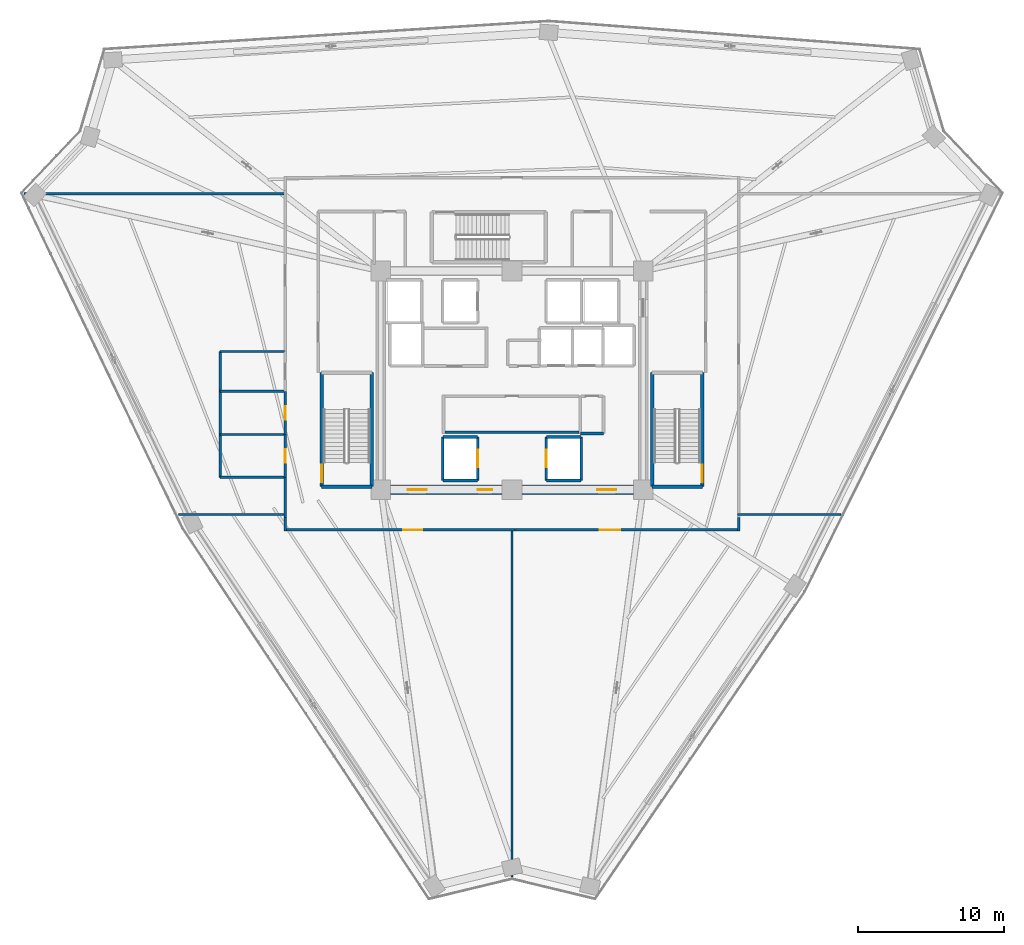
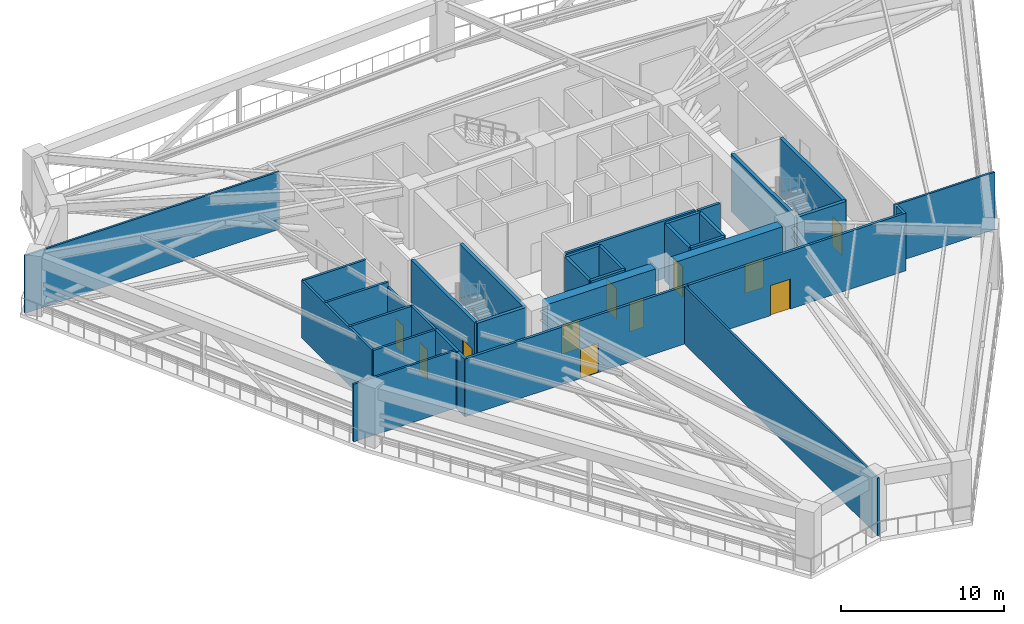
# One storey, part 14 of 25: 34 walls, 11 doors, 11 openings.
"""IFC4 building model written with IfcOpenShell, lengths in metres."""

from ifc_helpers import new_model, si_unit, direction, frame, frame_2d, origin, place, context, subcontext, project, spatial, rectangle, extrude, source, transform, mapped, material, layer, layer_set, type_object, element, fill, save


model = new_model("IFC4")

# Units and contexts
model_context = context("Model", 3, precision=1e-05, world=origin(), true_north=direction((0.0, 1.0)))
body_context = subcontext(model_context, "Body", "Model", "MODEL_VIEW")
ifc_project = project(units=[si_unit("LENGTHUNIT", "METRE"), si_unit("AREAUNIT", "SQUARE_METRE"), si_unit("VOLUMEUNIT", "CUBIC_METRE"), si_unit("PLANEANGLEUNIT", "RADIAN"), si_unit("MASSUNIT", "GRAM", prefix="KILO")], contexts=[model_context])

# Site, building, storey
site_placement = place(None, origin())
site = spatial("IfcSite", under=ifc_project, at=site_placement, CompositionType="ELEMENT")
building_placement = place(site_placement, origin())
building = spatial("IfcBuilding", under=site, at=building_placement, Name="Liaohun Quay Tower", CompositionType="ELEMENT")
storey_placement = place(building_placement, frame((0.0, 0.0, 231.75)))
storey = spatial("IfcBuildingStorey", under=building, at=storey_placement, Name="L60", CompositionType="ELEMENT", Elevation=231.75)

# Wall, opening, door
ifc_material_1 = material(Name="Concrete C55", Category="concrete")
ifc_layer_1 = layer(ifc_material_1, 0.64990234375, Name="Concrete C55", Category="concrete")
ifc_layer_set_1 = layer_set([ifc_layer_1], Name="Concrete C55")
wall_type_1 = type_object("IfcWallType", Name="WAL-COR-Z3", PredefinedType="SHEAR", material=ifc_layer_set_1)
wall_1_placement = place(storey_placement, frame((68.324951171875, 46.5, 0.0), z_axis=(0.0, 0.0, 1.0), x_axis=(-1.0, 0.0, 0.0)))
wall_1 = element("IfcWall", 1, at=wall_1_placement, inside=storey, type_object=wall_type_1, Name="L60 Central Core Shear Wall S-E", PredefinedType="SHEAR", context=body_context, shape_type="SweptSolid", body=[
    extrude(rectangle(XDim=7.64990234375, YDim=0.64990234375, at=frame_2d((3.824951171875, 0.0))), origin(), (0.0, 0.0, 1.0), 4.320068359375),
])
shared_shape_1 = source(origin(), body_context, "Body", "SweptSolid", [
    extrude(rectangle(XDim=1.300048828125, YDim=2.199951171875, at=frame_2d((0.64990234375, 1.10009765625))), frame((0.0, 0.3349609375, 0.0), z_axis=(0.0, -1.0, 0.0), x_axis=(1.0, 0.0, 0.0)), (0.0, 0.0, 1.0), 0.669921875),
])
opening_1_placement = place(wall_1_placement, frame((1.175048828125, 0.0, 0.0)))
opening_1 = element("IfcOpeningElement", 2, at=opening_1_placement, cuts=wall_1, Name="Opening FD1", PredefinedType="OPENING", context=body_context, shape_type="MappedRepresentation", body=[
    mapped(shared_shape_1, transform((0.0, 0.0, 0.0), x_axis=(1.0, 0.0, 0.0), y_axis=(0.0, 1.0, 0.0), z_axis=(0.0, 0.0, 1.0), scale=1.0)),
])
ifc_material_2 = material(Name="Galvanised steel smokeproof fire door", Category="steel")
door_type_1 = type_object("IfcDoorType", Name="DOR-FFL-1300", OperationType="NOTDEFINED", PredefinedType="DOOR", material=ifc_material_2)
shared_shape_2 = source(origin(), body_context, "Body", "SweptSolid", [
    extrude(rectangle(XDim=1.300048828125, YDim=2.199951171875, at=frame_2d((0.64990234375, 1.10009765625))), frame((0.0, 0.02490234375, 0.0), z_axis=(0.0, -1.0, 0.0), x_axis=(1.0, 0.0, 0.0)), (0.0, 0.0, 1.0), 0.050048828125),
])
door_1_placement = place(opening_1_placement, origin())
door_1 = element("IfcDoor", 3, at=door_1_placement, inside=storey, type_object=door_type_1, Name="L60 East Core Lift Lobby Smokeproof Door", OperationType="SINGLE_SWING_LEFT", OverallHeight=2.199951171875, OverallWidth=1.300048828125, PredefinedType="DOOR", context=body_context, shape_type="MappedRepresentation", body=[
    mapped(shared_shape_2, transform((0.0, 0.0, 0.0), x_axis=(1.0, 0.0, 0.0), y_axis=(0.0, 1.0, 0.0), z_axis=(0.0, 0.0, 1.0), scale=1.0)),
])
fill(opening_1, door_1)

# Wall, openings, doors
wall_2_placement = place(storey_placement, frame((59.324951171875, 46.5, 0.0), z_axis=(0.0, 0.0, 1.0), x_axis=(-1.0, 0.0, 0.0)))
wall_2 = element("IfcWall", 4, at=wall_2_placement, inside=storey, type_object=wall_type_1, Name="L60 Central Core Shear Wall S-W", PredefinedType="SHEAR", context=body_context, shape_type="SweptSolid", body=[
    extrude(rectangle(XDim=7.64990234375, YDim=0.64990234375, at=frame_2d((3.824951171875, 0.0))), origin(), (0.0, 0.0, 1.0), 4.320068359375),
])
opening_2_placement = place(wall_2_placement, frame((5.175048828125, 0.0, 0.0)))
opening_2 = element("IfcOpeningElement", 5, at=opening_2_placement, cuts=wall_2, Name="Opening FD1", PredefinedType="OPENING", context=body_context, shape_type="MappedRepresentation", body=[
    mapped(shared_shape_1, transform((0.0, 0.0, 0.0), x_axis=(1.0, 0.0, 0.0), y_axis=(0.0, 1.0, 0.0), z_axis=(0.0, 0.0, 1.0), scale=1.0)),
])
shared_shape_3 = source(origin(), body_context, "Body", "SweptSolid", [
    extrude(rectangle(XDim=1.0, YDim=2.199951171875, at=frame_2d((0.5, 1.10009765625))), frame((0.0, 0.3349609375, 0.0), z_axis=(0.0, -1.0, 0.0), x_axis=(1.0, 0.0, 0.0)), (0.0, 0.0, 1.0), 0.669921875),
])
opening_3_placement = place(wall_2_placement, frame((0.675048828125, 0.0, 0.0)))
opening_3 = element("IfcOpeningElement", 6, at=opening_3_placement, cuts=wall_2, Name="Opening FD2", PredefinedType="OPENING", context=body_context, shape_type="MappedRepresentation", body=[
    mapped(shared_shape_3, transform((0.0, 0.0, 0.0), x_axis=(1.0, 0.0, 0.0), y_axis=(0.0, 1.0, 0.0), z_axis=(0.0, 0.0, 1.0), scale=1.0)),
])
door_2_placement = place(opening_2_placement, origin())
door_2 = element("IfcDoor", 7, at=door_2_placement, inside=storey, type_object=door_type_1, Name="L60 West Core Lift Lobby Smokeproof Door", OperationType="SINGLE_SWING_RIGHT", OverallHeight=2.199951171875, OverallWidth=1.300048828125, PredefinedType="DOOR", context=body_context, shape_type="MappedRepresentation", body=[
    mapped(shared_shape_2, transform((0.0, 0.0, 0.0), x_axis=(1.0, 0.0, 0.0), y_axis=(0.0, 1.0, 0.0), z_axis=(0.0, 0.0, 1.0), scale=1.0)),
])
fill(opening_2, door_2)
ifc_material_3 = material(Name="Galvanised steel smokeproof lobby fire door", Category="steel")
door_type_2 = type_object("IfcDoorType", Name="DOR-FFL-1000", OperationType="NOTDEFINED", PredefinedType="DOOR", material=ifc_material_3)
shared_shape_4 = source(origin(), body_context, "Body", "SweptSolid", [
    extrude(rectangle(XDim=1.0, YDim=2.199951171875, at=frame_2d((0.5, 1.10009765625))), frame((0.0, 0.02490234375, 0.0), z_axis=(0.0, -1.0, 0.0), x_axis=(1.0, 0.0, 0.0)), (0.0, 0.0, 1.0), 0.050048828125),
])
door_3_placement = place(opening_3_placement, origin())
door_3 = element("IfcDoor", 8, at=door_3_placement, inside=storey, type_object=door_type_2, Name="L60 South Firefighting Lobby Smokeproof Door", OperationType="SINGLE_SWING_LEFT", OverallHeight=2.199951171875, OverallWidth=1.0, PredefinedType="DOOR", context=body_context, shape_type="MappedRepresentation", body=[
    mapped(shared_shape_4, transform((0.0, 0.0, 0.0), x_axis=(1.0, 0.0, 0.0), y_axis=(0.0, 1.0, 0.0), z_axis=(0.0, 0.0, 1.0), scale=1.0)),
])
fill(opening_3, door_3)

# Wall, opening, door
ifc_material_4 = material(Name="Autoclaved aerated concrete blockwork", Category="masonry")
ifc_layer_2 = layer(ifc_material_4, 0.179931640625, Name="Autoclaved aerated concrete blockwork", Category="masonry")
ifc_layer_set_2 = layer_set([ifc_layer_2], Name="Autoclaved aerated concrete blockwork")
wall_type_2 = type_object("IfcWallType", Name="WAL-PRT-COR", PredefinedType="PARTITIONING", material=ifc_layer_set_2)
wall_3_placement = place(storey_placement, frame((60.215087890625, 43.739990234375, 0.0), z_axis=(0.0, 0.0, 1.0), x_axis=(-1.0, 0.0, 0.0)))
wall_3 = element("IfcWall", 9, at=wall_3_placement, inside=storey, type_object=wall_type_2, Name="L60 Interior Partition Wall 015", PredefinedType="PARTITIONING", context=body_context, shape_type="SweptSolid", body=[
    extrude(rectangle(XDim=15.844970703125, YDim=0.179931640625, at=frame_2d((7.92236328125, 0.0))), origin(), (0.0, 0.0, 1.0), 4.320068359375),
])
shared_shape_5 = source(origin(), body_context, "Body", "SweptSolid", [
    extrude(rectangle(XDim=1.300048828125, YDim=2.199951171875, at=frame_2d((0.64990234375, 1.10009765625))), frame((0.0, 0.099853515625, 0.0), z_axis=(0.0, -1.0, 0.0), x_axis=(1.0, 0.0, 0.0)), (0.0, 0.0, 1.0), 0.199951171875),
])
opening_4_placement = place(wall_3_placement, frame((6.373046875, 0.0, 0.0)))
opening_4 = element("IfcOpeningElement", 10, at=opening_4_placement, cuts=wall_3, Name="Opening FD1", PredefinedType="OPENING", context=body_context, shape_type="MappedRepresentation", body=[
    mapped(shared_shape_5, transform((0.0, 0.0, 0.0), x_axis=(1.0, 0.0, 0.0), y_axis=(0.0, 1.0, 0.0), z_axis=(0.0, 0.0, 1.0), scale=1.0)),
])
door_4_placement = place(opening_4_placement, origin())
door_4 = element("IfcDoor", 11, at=door_4_placement, inside=storey, type_object=door_type_1, Name="L60 North Open-Air Refuge Staging Area Door", OperationType="SINGLE_SWING_LEFT", OverallHeight=2.199951171875, OverallWidth=1.300048828125, PredefinedType="DOOR", context=body_context, shape_type="MappedRepresentation", body=[
    mapped(shared_shape_2, transform((0.0, 0.0, 0.0), x_axis=(1.0, 0.0, 0.0), y_axis=(0.0, 1.0, 0.0), z_axis=(0.0, 0.0, 1.0), scale=1.0)),
])
fill(opening_4, door_4)

wall_4_placement = place(storey_placement, frame((75.6298828125, 43.739990234375, 0.0), z_axis=(0.0, 0.0, 1.0), x_axis=(-1.0, 0.0, 0.0)))
wall_4 = element("IfcWall", 12, at=wall_4_placement, inside=storey, type_object=wall_type_2, Name="L60 Interior Partition Wall 016", PredefinedType="PARTITIONING", context=body_context, shape_type="SweptSolid", body=[
    extrude(rectangle(XDim=15.414794921875, YDim=0.179931640625, at=frame_2d((7.70751953125, 0.0))), origin(), (0.0, 0.0, 1.0), 4.320068359375),
])
shared_shape_6 = source(origin(), body_context, "Body", "SweptSolid", [
    extrude(rectangle(XDim=1.39990234375, YDim=2.25, at=frame_2d((0.699951171875, 1.125))), frame((0.0, 0.099853515625, 0.0), z_axis=(0.0, -1.0, 0.0), x_axis=(1.0, 0.0, 0.0)), (0.0, 0.0, 1.0), 0.199951171875),
])
opening_5_placement = place(wall_4_placement, frame((8.20703125, 0.0, 0.0)))
opening_5 = element("IfcOpeningElement", 13, at=opening_5_placement, cuts=wall_4, Name="Opening MD1", PredefinedType="OPENING", context=body_context, shape_type="MappedRepresentation", body=[
    mapped(shared_shape_6, transform((0.0, 0.0, 0.0), x_axis=(1.0, 0.0, 0.0), y_axis=(0.0, 1.0, 0.0), z_axis=(0.0, 0.0, 1.0), scale=1.0)),
])
ifc_material_5 = material(Name="Insulated steel plant room door", Category="steel")
door_type_3 = type_object("IfcDoorType", Name="DOR-MEP-1400", OperationType="DOUBLE_DOOR_SINGLE_SWING", PredefinedType="DOOR", material=ifc_material_5)
shared_shape_7 = source(origin(), body_context, "Body", "SweptSolid", [
    extrude(rectangle(XDim=1.39990234375, YDim=2.25, at=frame_2d((0.699951171875, 1.125))), frame((0.0, 0.02490234375, 0.0), z_axis=(0.0, -1.0, 0.0), x_axis=(1.0, 0.0, 0.0)), (0.0, 0.0, 1.0), 0.050048828125),
])
door_5_placement = place(opening_5_placement, origin())
door_5 = element("IfcDoor", 14, at=door_5_placement, inside=storey, type_object=door_type_3, Name="L60 East Booster Water Pump and Tank Plant Room Door", OperationType="DOUBLE_DOOR_SINGLE_SWING", OverallHeight=2.25, OverallWidth=1.39990234375, PredefinedType="DOOR", context=body_context, shape_type="MappedRepresentation", body=[
    mapped(shared_shape_7, transform((0.0, 0.0, 0.0), x_axis=(1.0, 0.0, 0.0), y_axis=(0.0, 1.0, 0.0), z_axis=(0.0, 0.0, 1.0), scale=1.0)),
])
fill(opening_5, door_5)

# Walls
wall_5_placement = place(storey_placement, frame((64.68994140625, 50.35009765625, 0.0), z_axis=(0.0, 0.0, 1.0), x_axis=(1.0, 0.0, 0.0)))
element("IfcWall", 15, at=wall_5_placement, inside=storey, type_object=wall_type_2, Name="L60 Interior Partition Wall 020", PredefinedType="PARTITIONING", context=body_context, shape_type="SweptSolid", body=[
    extrude(rectangle(XDim=1.590087890625, YDim=0.179931640625, at=frame_2d((0.794921875, 0.0))), origin(), (0.0, 0.0, 1.0), 4.320068359375),
])
wall_6_placement = place(storey_placement, frame((44.43994140625, 44.5849609375, 0.0), z_axis=(0.0, 0.0, 1.0), x_axis=(0.0, 1.0, 0.0)))
element("IfcWall", 16, at=wall_6_placement, inside=storey, type_object=wall_type_2, Name="L60 Interior Partition Wall 037", PredefinedType="PARTITIONING", context=body_context, shape_type="SweptSolid", body=[
    extrude(rectangle(XDim=2.755126953125, YDim=0.179931640625, at=frame_2d((1.37744140625, 0.0))), origin(), (0.0, 0.0, 1.0), 4.320068359375),
])
for number, where, z_axis, x_axis, name in (
    (17, (44.43994140625, 43.669921875, 0.0), (0.0, 0.0, 1.0), (0.0, 1.0, 0.0), "L60 Interior Partition Wall 038"),
    (18, (75.56005859375, 44.5849609375, 0.0), (0.0, 0.0, 1.0), (0.0, -1.0, 0.0), "L60 Interior Partition Wall 039"),
):
    element("IfcWall", number, at=place(storey_placement, frame(where, z_axis=z_axis, x_axis=x_axis)), inside=storey, type_object=wall_type_2, Name=name, PredefinedType="PARTITIONING", context=body_context, shape_type="SweptSolid", body=[
        extrude(rectangle(XDim=0.9150390625, YDim=0.179931640625, at=frame_2d((0.45751953125, 0.0))), origin(), (0.0, 0.0, 1.0), 4.320068359375),
    ])
wall_7_placement = place(storey_placement, frame((55.389892578125, 50.449951171875, 0.0), z_axis=(0.0, 0.0, 1.0), x_axis=(1.0, 0.0, 0.0)))
element("IfcWall", 19, at=wall_7_placement, inside=storey, type_object=wall_type_2, Name="L60 Interior Partition Wall 046", PredefinedType="PARTITIONING", context=body_context, shape_type="SweptSolid", body=[
    extrude(rectangle(XDim=9.210205078125, YDim=0.179931640625, at=frame_2d((4.60498046875, 0.0))), origin(), (0.0, 0.0, 1.0), 4.320068359375),
])
ifc_material_6 = material(Name="Gypsum board on twin steel studs", Category="steel")
ifc_layer_3 = layer(ifc_material_6, 0.139892578125, Name="Gypsum board on twin steel studs", Category="steel")
ifc_layer_set_3 = layer_set([ifc_layer_3], Name="Gypsum board on twin steel studs")
wall_type_3 = type_object("IfcWallType", Name="WAL-PRT-OFF", PredefinedType="PARTITIONING", material=ifc_layer_set_3)
wall_8_placement = place(storey_placement, frame((44.5400390625, 44.800048828125, 0.0), z_axis=(0.0, 0.0, 1.0), x_axis=(-1.0, 0.0, 0.0)))
element("IfcWall", 20, at=wall_8_placement, inside=storey, type_object=wall_type_3, Name="L60 Interior Partition Wall 040", PredefinedType="PARTITIONING", context=body_context, shape_type="SweptSolid", body=[
    extrude(rectangle(XDim=7.43505859375, YDim=0.139892578125, at=frame_2d((3.717529296875, 0.0))), origin(), (0.0, 0.0, 1.0), 4.320068359375),
])
wall_9_placement = place(storey_placement, frame((75.4599609375, 44.800048828125, 0.0), z_axis=(0.0, 0.0, 1.0), x_axis=(1.0, 0.0, 0.0)))
element("IfcWall", 21, at=wall_9_placement, inside=storey, type_object=wall_type_3, Name="L60 Interior Partition Wall 041", PredefinedType="PARTITIONING", context=body_context, shape_type="SweptSolid", body=[
    extrude(rectangle(XDim=7.094970703125, YDim=0.139892578125, at=frame_2d((3.54736328125, 0.0))), origin(), (0.0, 0.0, 1.0), 4.320068359375),
])
wall_10_placement = place(storey_placement, frame((44.5400390625, 66.800048828125, 0.0), z_axis=(0.0, 0.0, 1.0), x_axis=(-1.0, 0.0, 0.0)))
element("IfcWall", 22, at=wall_10_placement, inside=storey, type_object=wall_type_3, Name="L60 Interior Partition Wall 042", PredefinedType="PARTITIONING", context=body_context, shape_type="SweptSolid", body=[
    extrude(rectangle(XDim=18.012939453125, YDim=0.139892578125, at=frame_2d((9.00634765625, 0.0))), origin(), (0.0, 0.0, 1.0), 4.320068359375),
])
wall_11_placement = place(storey_placement, frame((60.0, 43.840087890625, 0.0), z_axis=(0.0, 0.0, 1.0), x_axis=(0.0, -1.0, 0.0)))
element("IfcWall", 23, at=wall_11_placement, inside=storey, type_object=wall_type_3, Name="L60 Interior Partition Wall 044", PredefinedType="PARTITIONING", context=body_context, shape_type="SweptSolid", body=[
    extrude(rectangle(XDim=23.903076171875, YDim=0.139892578125, at=frame_2d((11.95166015625, 0.0))), origin(), (0.0, 0.0, 1.0), 4.320068359375),
])

# Wall, opening, door
ifc_material_7 = material(Name="Moisture-resistant masonry blockwork", Category="masonry")
ifc_layer_4 = layer(ifc_material_7, 0.159912109375, Name="Moisture-resistant masonry blockwork", Category="masonry")
ifc_layer_set_4 = layer_set([ifc_layer_4], Name="Moisture-resistant masonry blockwork")
wall_type_4 = type_object("IfcWallType", Name="WAL-PRT-WET", PredefinedType="PARTITIONING", material=ifc_layer_set_4)
wall_12_placement = place(storey_placement, frame((44.43994140625, 47.340087890625, 0.0), z_axis=(0.0, 0.0, 1.0), x_axis=(0.0, 1.0, 0.0)))
wall_12 = element("IfcWall", 24, at=wall_12_placement, inside=storey, type_object=wall_type_4, Name="L60 Interior Partition Wall 005", PredefinedType="PARTITIONING", context=body_context, shape_type="SweptSolid", body=[
    extrude(rectangle(XDim=2.93994140625, YDim=0.159912109375, at=frame_2d((1.469970703125, 0.0))), origin(), (0.0, 0.0, 1.0), 4.320068359375),
])
shared_shape_8 = source(origin(), body_context, "Body", "SweptSolid", [
    extrude(rectangle(XDim=0.949951171875, YDim=2.14990234375, at=frame_2d((0.47509765625, 1.074951171875))), frame((0.0, 0.08984375, 0.0), z_axis=(0.0, -1.0, 0.0), x_axis=(1.0, 0.0, 0.0)), (0.0, 0.0, 1.0), 0.179931640625),
])
opening_6_placement = place(wall_12_placement, frame((0.9951171875, 0.0, 0.0)))
opening_6 = element("IfcOpeningElement", 25, at=opening_6_placement, cuts=wall_12, Name="Opening WD1", PredefinedType="OPENING", context=body_context, shape_type="MappedRepresentation", body=[
    mapped(shared_shape_8, transform((0.0, 0.0, 0.0), x_axis=(1.0, 0.0, 0.0), y_axis=(0.0, 1.0, 0.0), z_axis=(0.0, 0.0, 1.0), scale=1.0)),
])
ifc_material_8 = material(Name="Moisture-resistant laminate timber leaf", Category="wood")
door_type_4 = type_object("IfcDoorType", Name="DOR-WC-950", OperationType="NOTDEFINED", PredefinedType="DOOR", material=ifc_material_8)
shared_shape_9 = source(origin(), body_context, "Body", "SweptSolid", [
    extrude(rectangle(XDim=0.949951171875, YDim=2.14990234375, at=frame_2d((0.47509765625, 1.074951171875))), frame((0.0, 0.02490234375, 0.0), z_axis=(0.0, -1.0, 0.0), x_axis=(1.0, 0.0, 0.0)), (0.0, 0.0, 1.0), 0.050048828125),
])
door_6_placement = place(opening_6_placement, origin())
door_6 = element("IfcDoor", 26, at=door_6_placement, inside=storey, type_object=door_type_4, Name="L60 Male Restroom WC Door", OperationType="SINGLE_SWING_LEFT", OverallHeight=2.14990234375, OverallWidth=0.949951171875, PredefinedType="DOOR", context=body_context, shape_type="MappedRepresentation", body=[
    mapped(shared_shape_9, transform((0.0, 0.0, 0.0), x_axis=(1.0, 0.0, 0.0), y_axis=(0.0, 1.0, 0.0), z_axis=(0.0, 0.0, 1.0), scale=1.0)),
])
fill(opening_6, door_6)

wall_13_placement = place(storey_placement, frame((44.43994140625, 50.280029296875, 0.0), z_axis=(0.0, 0.0, 1.0), x_axis=(0.0, 1.0, 0.0)))
wall_13 = element("IfcWall", 27, at=wall_13_placement, inside=storey, type_object=wall_type_4, Name="L60 Interior Partition Wall 006", PredefinedType="PARTITIONING", context=body_context, shape_type="SweptSolid", body=[
    extrude(rectangle(XDim=2.9599609375, YDim=0.159912109375, at=frame_2d((1.47998046875, 0.0))), origin(), (0.0, 0.0, 1.0), 3.955078125),
])
opening_7_placement = place(wall_13_placement, frame((1.0048828125, 0.0, 0.0)))
opening_7 = element("IfcOpeningElement", 28, at=opening_7_placement, cuts=wall_13, Name="Opening WD1", PredefinedType="OPENING", context=body_context, shape_type="MappedRepresentation", body=[
    mapped(shared_shape_8, transform((0.0, 0.0, 0.0), x_axis=(1.0, 0.0, 0.0), y_axis=(0.0, 1.0, 0.0), z_axis=(0.0, 0.0, 1.0), scale=1.0)),
])
door_7_placement = place(opening_7_placement, origin())
door_7 = element("IfcDoor", 29, at=door_7_placement, inside=storey, type_object=door_type_4, Name="L60 Female Restroom WC Door", OperationType="SINGLE_SWING_RIGHT", OverallHeight=2.14990234375, OverallWidth=0.949951171875, PredefinedType="DOOR", context=body_context, shape_type="MappedRepresentation", body=[
    mapped(shared_shape_9, transform((0.0, 0.0, 0.0), x_axis=(1.0, 0.0, 0.0), y_axis=(0.0, 1.0, 0.0), z_axis=(0.0, 0.0, 1.0), scale=1.0)),
])
fill(opening_7, door_7)

# Walls
wall_14_placement = place(storey_placement, frame((39.97998046875, 47.340087890625, 0.0), z_axis=(0.0, 0.0, 1.0), x_axis=(0.0, 1.0, 0.0)))
element("IfcWall", 30, at=wall_14_placement, inside=storey, type_object=wall_type_4, Name="L60 Interior Partition Wall 022", PredefinedType="PARTITIONING", context=body_context, shape_type="SweptSolid", body=[
    extrude(rectangle(XDim=8.639892578125, YDim=0.159912109375, at=frame_2d((4.31982421875, 0.0))), origin(), (0.0, 0.0, 1.0), 4.320068359375),
])
for number, where, z_axis, x_axis, name in (
    (31, (39.97998046875, 47.340087890625, 0.0), (0.0, 0.0, 1.0), (1.0, 0.0, 0.0), "L60 Interior Partition Wall 023"),
    (32, (39.97998046875, 50.280029296875, 0.0), (0.0, 0.0, 1.0), (1.0, 0.0, 0.0), "L60 Interior Partition Wall 024"),
    (33, (39.97998046875, 53.239990234375, 0.0), (0.0, 0.0, 1.0), (1.0, 0.0, 0.0), "L60 Interior Partition Wall 025"),
    (34, (39.97998046875, 55.97998046875, 0.0), (0.0, 0.0, 1.0), (1.0, 0.0, 0.0), "L60 Interior Partition Wall 026"),
):
    element("IfcWall", number, at=place(storey_placement, frame(where, z_axis=z_axis, x_axis=x_axis)), inside=storey, type_object=wall_type_4, Name=name, PredefinedType="PARTITIONING", context=body_context, shape_type="SweptSolid", body=[
        extrude(rectangle(XDim=4.4599609375, YDim=0.159912109375, at=frame_2d((2.22998046875, 0.0))), origin(), (0.0, 0.0, 1.0), 4.320068359375),
    ])
ifc_material_9 = material(Name="Concrete C50", Category="concrete")
ifc_layer_5 = layer(ifc_material_9, 0.239990234375, Name="Concrete C50", Category="concrete")
ifc_layer_set_5 = layer_set([ifc_layer_5], Name="Concrete C50")
wall_type_5 = type_object("IfcWallType", Name="WAL-SHF-200", PredefinedType="SOLIDWALL", material=ifc_layer_set_5)
wall_15_placement = place(storey_placement, frame((46.93994140625, 46.699951171875, 0.0), z_axis=(0.0, 0.0, 1.0), x_axis=(1.0, 0.0, 0.0)))
element("IfcWall", 35, at=wall_15_placement, inside=storey, type_object=wall_type_5, Name="L60 Stairwell ST-1 Structural Core Wall S", PredefinedType="SOLIDWALL", context=body_context, shape_type="SweptSolid", body=[
    extrude(rectangle(XDim=3.43994140625, YDim=0.239990234375, at=frame_2d((1.719970703125, 0.0))), origin(), (0.0, 0.0, 1.0), 4.320068359375),
])
wall_16_placement = place(storey_placement, frame((50.3798828125, 46.699951171875, 0.0), z_axis=(0.0, 0.0, 1.0), x_axis=(0.0, 1.0, 0.0)))
element("IfcWall", 36, at=wall_16_placement, inside=storey, type_object=wall_type_5, Name="L60 Stairwell ST-1 Structural Core Wall E", PredefinedType="SOLIDWALL", context=body_context, shape_type="SweptSolid", body=[
    extrude(rectangle(XDim=7.820068359375, YDim=0.239990234375, at=frame_2d((3.91015625, 0.0))), origin(), (0.0, 0.0, 1.0), 4.320068359375),
])

# Wall, opening, door
wall_17_placement = place(storey_placement, frame((46.93994140625, 54.52001953125, 0.0), z_axis=(0.0, 0.0, 1.0), x_axis=(0.0, -1.0, 0.0)))
wall_17 = element("IfcWall", 37, at=wall_17_placement, inside=storey, type_object=wall_type_5, Name="L60 Stairwell ST-1 Structural Core Wall W", PredefinedType="SOLIDWALL", context=body_context, shape_type="SweptSolid", body=[
    extrude(rectangle(XDim=7.820068359375, YDim=0.239990234375, at=frame_2d((3.91015625, 0.0))), origin(), (0.0, 0.0, 1.0), 4.320068359375),
])
shared_shape_10 = source(origin(), body_context, "Body", "SweptSolid", [
    extrude(rectangle(XDim=1.199951171875, YDim=2.199951171875, at=frame_2d((0.60009765625, 1.10009765625))), frame((0.0, 0.1298828125, 0.0), z_axis=(0.0, -1.0, 0.0), x_axis=(1.0, 0.0, 0.0)), (0.0, 0.0, 1.0), 0.260009765625),
])
opening_8_placement = place(wall_17_placement, frame((6.300048828125, 0.0, 0.0)))
opening_8 = element("IfcOpeningElement", 38, at=opening_8_placement, cuts=wall_17, Name="Opening SD1", PredefinedType="OPENING", context=body_context, shape_type="MappedRepresentation", body=[
    mapped(shared_shape_10, transform((0.0, 0.0, 0.0), x_axis=(1.0, 0.0, 0.0), y_axis=(0.0, 1.0, 0.0), z_axis=(0.0, 0.0, 1.0), scale=1.0)),
])
ifc_material_10 = material(Name="Galvanised steel fire door", Category="steel")
door_type_5 = type_object("IfcDoorType", Name="DOR-STR-1200", OperationType="NOTDEFINED", PredefinedType="DOOR", material=ifc_material_10)
shared_shape_11 = source(origin(), body_context, "Body", "SweptSolid", [
    extrude(rectangle(XDim=1.199951171875, YDim=2.199951171875, at=frame_2d((0.60009765625, 1.10009765625))), frame((0.0, 0.02490234375, 0.0), z_axis=(0.0, -1.0, 0.0), x_axis=(1.0, 0.0, 0.0)), (0.0, 0.0, 1.0), 0.050048828125),
])
door_8_placement = place(opening_8_placement, origin())
door_8 = element("IfcDoor", 39, at=door_8_placement, inside=storey, type_object=door_type_5, Name="L60 Protected Stair ST-1 Fire Door", OperationType="SINGLE_SWING_LEFT", OverallHeight=2.199951171875, OverallWidth=1.199951171875, PredefinedType="DOOR", context=body_context, shape_type="MappedRepresentation", body=[
    mapped(shared_shape_11, transform((0.0, 0.0, 0.0), x_axis=(1.0, 0.0, 0.0), y_axis=(0.0, 1.0, 0.0), z_axis=(0.0, 0.0, 1.0), scale=1.0)),
])
fill(opening_8, door_8)

# Wall
wall_18_placement = place(storey_placement, frame((69.6201171875, 46.699951171875, 0.0), z_axis=(0.0, 0.0, 1.0), x_axis=(1.0, 0.0, 0.0)))
element("IfcWall", 40, at=wall_18_placement, inside=storey, type_object=wall_type_5, Name="L60 Stairwell ST-2 Structural Core Wall S", PredefinedType="SOLIDWALL", context=body_context, shape_type="SweptSolid", body=[
    extrude(rectangle(XDim=3.43994140625, YDim=0.239990234375, at=frame_2d((1.719970703125, 0.0))), origin(), (0.0, 0.0, 1.0), 4.320068359375),
])

# Wall, opening, door
wall_19_placement = place(storey_placement, frame((73.06005859375, 46.699951171875, 0.0), z_axis=(0.0, 0.0, 1.0), x_axis=(0.0, 1.0, 0.0)))
wall_19 = element("IfcWall", 41, at=wall_19_placement, inside=storey, type_object=wall_type_5, Name="L60 Stairwell ST-2 Structural Core Wall E", PredefinedType="SOLIDWALL", context=body_context, shape_type="SweptSolid", body=[
    extrude(rectangle(XDim=7.820068359375, YDim=0.239990234375, at=frame_2d((3.91015625, 0.0))), origin(), (0.0, 0.0, 1.0), 4.320068359375),
])
opening_9_placement = place(wall_19_placement, frame((0.320068359375, 0.0, 0.0)))
opening_9 = element("IfcOpeningElement", 42, at=opening_9_placement, cuts=wall_19, Name="Opening SD1", PredefinedType="OPENING", context=body_context, shape_type="MappedRepresentation", body=[
    mapped(shared_shape_10, transform((0.0, 0.0, 0.0), x_axis=(1.0, 0.0, 0.0), y_axis=(0.0, 1.0, 0.0), z_axis=(0.0, 0.0, 1.0), scale=1.0)),
])
door_9_placement = place(opening_9_placement, origin())
door_9 = element("IfcDoor", 43, at=door_9_placement, inside=storey, type_object=door_type_5, Name="L60 Protected Stair ST-2 Fire Door", OperationType="SINGLE_SWING_RIGHT", OverallHeight=2.199951171875, OverallWidth=1.199951171875, PredefinedType="DOOR", context=body_context, shape_type="MappedRepresentation", body=[
    mapped(shared_shape_11, transform((0.0, 0.0, 0.0), x_axis=(1.0, 0.0, 0.0), y_axis=(0.0, 1.0, 0.0), z_axis=(0.0, 0.0, 1.0), scale=1.0)),
])
fill(opening_9, door_9)

# Walls
wall_20_placement = place(storey_placement, frame((69.6201171875, 54.52001953125, 0.0), z_axis=(0.0, 0.0, 1.0), x_axis=(0.0, -1.0, 0.0)))
element("IfcWall", 44, at=wall_20_placement, inside=storey, type_object=wall_type_5, Name="L60 Stairwell ST-2 Structural Core Wall W", PredefinedType="SOLIDWALL", context=body_context, shape_type="SweptSolid", body=[
    extrude(rectangle(XDim=7.820068359375, YDim=0.239990234375, at=frame_2d((3.91015625, 0.0))), origin(), (0.0, 0.0, 1.0), 4.320068359375),
])
wall_21_placement = place(storey_placement, frame((55.25, 47.1201171875, 0.0), z_axis=(0.0, 0.0, 1.0), x_axis=(1.0, 0.0, 0.0)))
element("IfcWall", 45, at=wall_21_placement, inside=storey, type_object=wall_type_5, Name="L60 Lift FF-01 Hoistway Wall S", PredefinedType="SOLIDWALL", context=body_context, shape_type="SweptSolid", body=[
    extrude(rectangle(XDim=2.39990234375, YDim=0.199951171875, at=frame_2d((1.199951171875, 0.0))), origin(), (0.0, 0.0, 1.0), 4.320068359375),
])

# Wall, opening, door
wall_22_placement = place(storey_placement, frame((57.64990234375, 47.1201171875, 0.0), z_axis=(0.0, 0.0, 1.0), x_axis=(0.0, 1.0, 0.0)))
wall_22 = element("IfcWall", 46, at=wall_22_placement, inside=storey, type_object=wall_type_5, Name="L60 Lift FF-01 Hoistway Wall E", PredefinedType="SOLIDWALL", context=body_context, shape_type="SweptSolid", body=[
    extrude(rectangle(XDim=3.0, YDim=0.199951171875, at=frame_2d((1.5, 0.0))), origin(), (0.0, 0.0, 1.0), 4.320068359375),
])
shared_shape_12 = source(origin(), body_context, "Body", "SweptSolid", [
    extrude(rectangle(XDim=1.199951171875, YDim=2.300048828125, at=frame_2d((0.60009765625, 1.14990234375))), frame((0.0, 0.10986328125, 0.0), z_axis=(0.0, -1.0, 0.0), x_axis=(1.0, 0.0, 0.0)), (0.0, 0.0, 1.0), 0.219970703125),
])
opening_10_placement = place(wall_22_placement, frame((0.89990234375, 0.0, 0.0)))
opening_10 = element("IfcOpeningElement", 47, at=opening_10_placement, cuts=wall_22, Name="Opening LD2", PredefinedType="OPENING", context=body_context, shape_type="MappedRepresentation", body=[
    mapped(shared_shape_12, transform((0.0, 0.0, 0.0), x_axis=(1.0, 0.0, 0.0), y_axis=(0.0, 1.0, 0.0), z_axis=(0.0, 0.0, 1.0), scale=1.0)),
])
ifc_material_11 = material(Name="Brushed stainless steel stretcher landing door", Category="steel")
door_type_6 = type_object("IfcDoorType", Name="DOR-LFT-1200", OperationType="SLIDING_TO_LEFT", PredefinedType="DOOR", material=ifc_material_11)
shared_shape_13 = source(origin(), body_context, "Body", "SweptSolid", [
    extrude(rectangle(XDim=1.199951171875, YDim=2.300048828125, at=frame_2d((0.60009765625, 1.14990234375))), frame((0.0, 0.02490234375, 0.0), z_axis=(0.0, -1.0, 0.0), x_axis=(1.0, 0.0, 0.0)), (0.0, 0.0, 1.0), 0.050048828125),
])
door_10_placement = place(opening_10_placement, origin())
door_10 = element("IfcDoor", 48, at=door_10_placement, inside=storey, type_object=door_type_6, Name="L60 Lift FF-01 Sliding Landing Door", OperationType="SLIDING_TO_LEFT", OverallHeight=2.300048828125, OverallWidth=1.199951171875, PredefinedType="DOOR", context=body_context, shape_type="MappedRepresentation", body=[
    mapped(shared_shape_13, transform((0.0, 0.0, 0.0), x_axis=(1.0, 0.0, 0.0), y_axis=(0.0, 1.0, 0.0), z_axis=(0.0, 0.0, 1.0), scale=1.0)),
])
fill(opening_10, door_10)

# Walls
wall_23_placement = place(storey_placement, frame((57.64990234375, 50.1201171875, 0.0), z_axis=(0.0, 0.0, 1.0), x_axis=(-1.0, 0.0, 0.0)))
element("IfcWall", 49, at=wall_23_placement, inside=storey, type_object=wall_type_5, Name="L60 Lift FF-01 Hoistway Wall N", PredefinedType="SOLIDWALL", context=body_context, shape_type="SweptSolid", body=[
    extrude(rectangle(XDim=2.39990234375, YDim=0.199951171875, at=frame_2d((1.199951171875, 0.0))), origin(), (0.0, 0.0, 1.0), 4.320068359375),
])
wall_24_placement = place(storey_placement, frame((55.25, 50.1201171875, 0.0), z_axis=(0.0, 0.0, 1.0), x_axis=(0.0, -1.0, 0.0)))
element("IfcWall", 50, at=wall_24_placement, inside=storey, type_object=wall_type_5, Name="L60 Lift FF-01 Hoistway Wall W", PredefinedType="SOLIDWALL", context=body_context, shape_type="SweptSolid", body=[
    extrude(rectangle(XDim=3.0, YDim=0.199951171875, at=frame_2d((1.5, 0.0))), origin(), (0.0, 0.0, 1.0), 4.320068359375),
])
wall_25_placement = place(storey_placement, frame((62.35009765625, 47.1201171875, 0.0), z_axis=(0.0, 0.0, 1.0), x_axis=(1.0, 0.0, 0.0)))
element("IfcWall", 51, at=wall_25_placement, inside=storey, type_object=wall_type_5, Name="L60 Lift FF-02 Hoistway Wall S", PredefinedType="SOLIDWALL", context=body_context, shape_type="SweptSolid", body=[
    extrude(rectangle(XDim=2.39990234375, YDim=0.199951171875, at=frame_2d((1.199951171875, 0.0))), origin(), (0.0, 0.0, 1.0), 4.320068359375),
])
wall_26_placement = place(storey_placement, frame((64.75, 47.1201171875, 0.0), z_axis=(0.0, 0.0, 1.0), x_axis=(0.0, 1.0, 0.0)))
element("IfcWall", 52, at=wall_26_placement, inside=storey, type_object=wall_type_5, Name="L60 Lift FF-02 Hoistway Wall E", PredefinedType="SOLIDWALL", context=body_context, shape_type="SweptSolid", body=[
    extrude(rectangle(XDim=3.0, YDim=0.199951171875, at=frame_2d((1.5, 0.0))), origin(), (0.0, 0.0, 1.0), 4.320068359375),
])
wall_27_placement = place(storey_placement, frame((64.75, 50.1201171875, 0.0), z_axis=(0.0, 0.0, 1.0), x_axis=(-1.0, 0.0, 0.0)))
element("IfcWall", 53, at=wall_27_placement, inside=storey, type_object=wall_type_5, Name="L60 Lift FF-02 Hoistway Wall N", PredefinedType="SOLIDWALL", context=body_context, shape_type="SweptSolid", body=[
    extrude(rectangle(XDim=2.39990234375, YDim=0.199951171875, at=frame_2d((1.199951171875, 0.0))), origin(), (0.0, 0.0, 1.0), 4.320068359375),
])

# Wall, opening, door
wall_28_placement = place(storey_placement, frame((62.35009765625, 50.1201171875, 0.0), z_axis=(0.0, 0.0, 1.0), x_axis=(0.0, -1.0, 0.0)))
wall_28 = element("IfcWall", 54, at=wall_28_placement, inside=storey, type_object=wall_type_5, Name="L60 Lift FF-02 Hoistway Wall W", PredefinedType="SOLIDWALL", context=body_context, shape_type="SweptSolid", body=[
    extrude(rectangle(XDim=3.0, YDim=0.199951171875, at=frame_2d((1.5, 0.0))), origin(), (0.0, 0.0, 1.0), 4.320068359375),
])
opening_11_placement = place(wall_28_placement, frame((0.89990234375, 0.0, 0.0)))
opening_11 = element("IfcOpeningElement", 55, at=opening_11_placement, cuts=wall_28, Name="Opening LD2", PredefinedType="OPENING", context=body_context, shape_type="MappedRepresentation", body=[
    mapped(shared_shape_12, transform((0.0, 0.0, 0.0), x_axis=(1.0, 0.0, 0.0), y_axis=(0.0, 1.0, 0.0), z_axis=(0.0, 0.0, 1.0), scale=1.0)),
])
door_11_placement = place(opening_11_placement, origin())
door_11 = element("IfcDoor", 56, at=door_11_placement, inside=storey, type_object=door_type_6, Name="L60 Lift FF-02 Sliding Landing Door", OperationType="SLIDING_TO_LEFT", OverallHeight=2.300048828125, OverallWidth=1.199951171875, PredefinedType="DOOR", context=body_context, shape_type="MappedRepresentation", body=[
    mapped(shared_shape_13, transform((0.0, 0.0, 0.0), x_axis=(1.0, 0.0, 0.0), y_axis=(0.0, 1.0, 0.0), z_axis=(0.0, 0.0, 1.0), scale=1.0)),
])
fill(opening_11, door_11)

save(model, "model.ifc")
